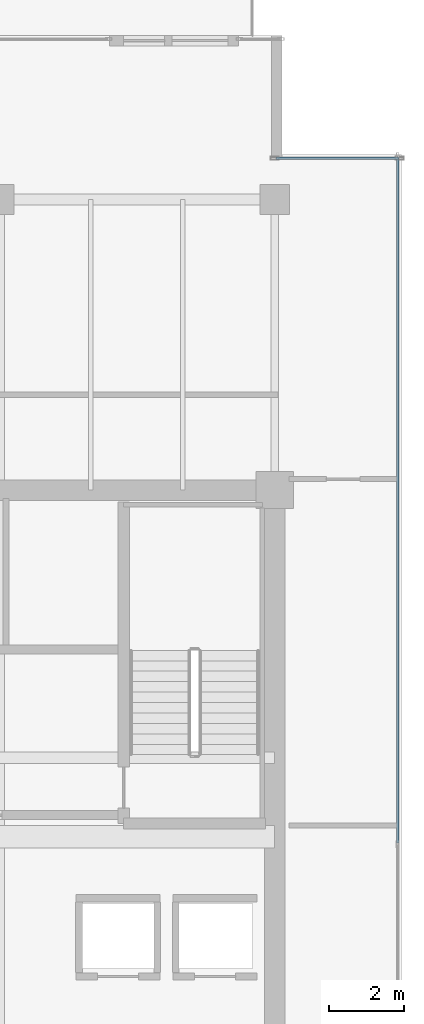
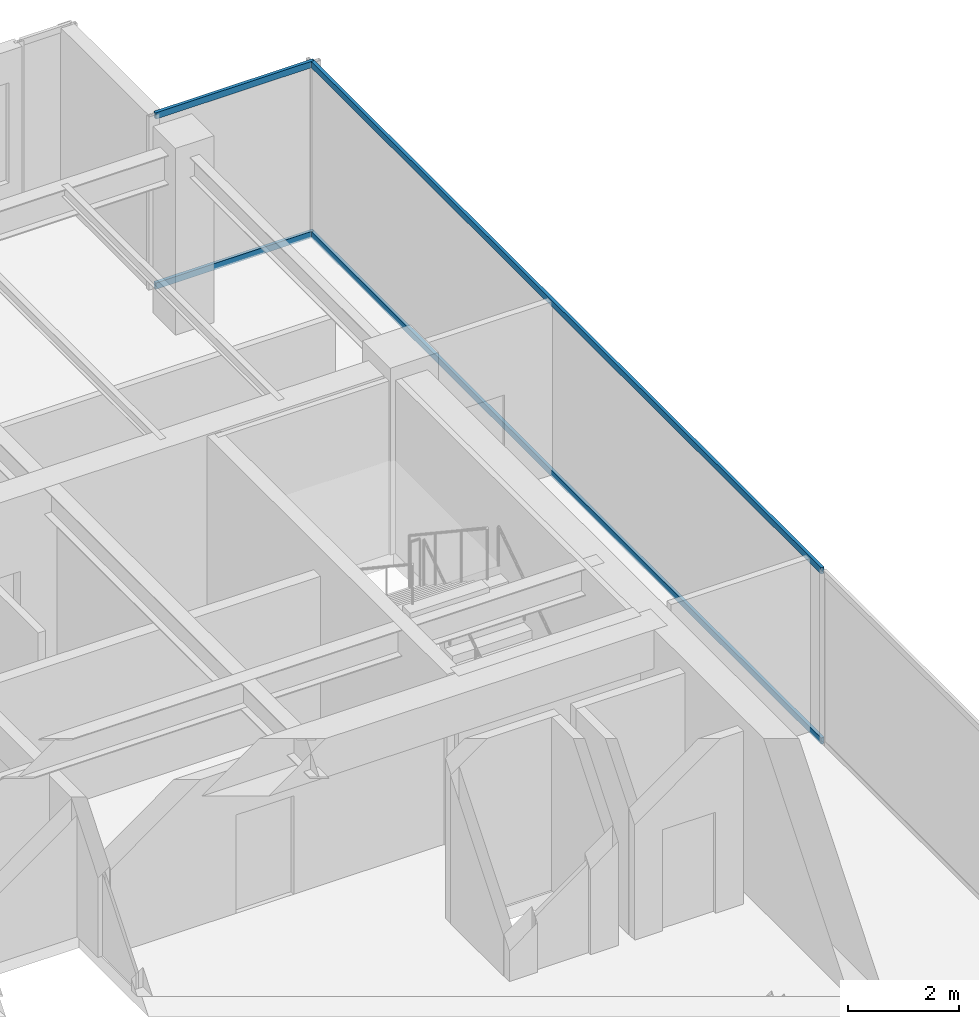
# One storey, part 25 of 34: 4 members, 2 elements without a shape of their own.
"""IFC4 building model written with IfcOpenShell, lengths in metres."""

import ifcopenshell
import ifcopenshell.guid

model = None  # the IFC model being written
_history = None  # IfcOwnerHistory: only IFC2X3 demands one
_inside = {}  # id of a spatial element -> (the spatial element, [elements in it])
_under = {}  # id of a project, library or spatial element -> (it, [spatial elements below it])
_declared = {}  # id of a project -> (the project, [libraries it declares])
_typed = {}  # id of a type object -> (the type object, [elements of that type])
_made_of = {}  # id of a material, layer set ... -> (it, [elements and type objects made of it])


def new_model(schema):
    """Start an empty IFC model of exactly this schema.

    Asked for "IFC4X3", IfcOpenShell would pick the latest addendum, in which some entities
    have other attributes; the version numbers below select the first issue.
    IFC2X3 requires an IfcOwnerHistory on every rooted entity: one is made here for all.
    """
    global model, _history
    if schema == "IFC4X3":
        model = ifcopenshell.file(schema_version=(4, 3, 0, 0))
    else:
        model = ifcopenshell.file(schema=schema)
    _inside.clear()
    _under.clear()
    _declared.clear()
    _typed.clear()
    _made_of.clear()
    _history = None
    if model.schema == "IFC2X3":
        org = make("IfcOrganization", Name="unknown")
        user = make(
            "IfcPersonAndOrganization",
            ThePerson=make("IfcPerson", FamilyName="unknown"),
            TheOrganization=org,
        )
        app = make(
            "IfcApplication",
            ApplicationDeveloper=org,
            Version="unknown",
            ApplicationFullName="unknown",
            ApplicationIdentifier="unknown",
        )
        _history = make(
            "IfcOwnerHistory",
            OwningUser=user,
            OwningApplication=app,
            ChangeAction="ADDED",
            CreationDate=0,
        )
    return model


def make(cls, **values):
    """One entity of the class cls with the attributes given. An attribute that is None is left unset."""
    return model.create_entity(
        cls, **{name: value for name, value in values.items() if value is not None}
    )


def rooted(cls, **values):
    """An entity with a GlobalId (a new one), such as an element, a storey or a relation."""
    return make(cls, GlobalId=ifcopenshell.guid.new(), OwnerHistory=_history, **values)


def si_unit(unit_type, name, prefix=None):
    """IfcSIUnit, for example si_unit("LENGTHUNIT", "METRE", prefix="MILLI")."""
    return make("IfcSIUnit", UnitType=unit_type, Prefix=prefix, Name=name)


def assignment(units):
    """IfcUnitAssignment: the units of a project."""
    return None if units is None else make("IfcUnitAssignment", Units=units)


def point(xyz):
    """IfcCartesianPoint."""
    return None if xyz is None else make("IfcCartesianPoint", Coordinates=xyz)


def direction(xyz):
    """IfcDirection."""
    return None if xyz is None else make("IfcDirection", DirectionRatios=xyz)


def frame(location, z_axis=None, x_axis=None):
    """IfcAxis2Placement3D, a coordinate frame: its origin and axes. An axis left out is left unset."""
    return make(
        "IfcAxis2Placement3D",
        Location=point(location),
        Axis=direction(z_axis),
        RefDirection=direction(x_axis),
    )


def frame_2d(location, x_axis=None):
    """IfcAxis2Placement2D, a coordinate frame in the plane: its origin and x axis."""
    return make(
        "IfcAxis2Placement2D", Location=point(location), RefDirection=direction(x_axis)
    )


def origin():
    """The frame at (0, 0, 0) with its axes left unset."""
    return frame((0.0, 0.0, 0.0))


def origin_2d():
    """The frame at (0, 0) in the plane with its x axis left unset."""
    return frame_2d((0.0, 0.0))


def place(relative_to, where):
    """IfcLocalPlacement: puts the frame where relative to a parent placement (None: the world)."""
    return make(
        "IfcLocalPlacement", PlacementRelTo=relative_to, RelativePlacement=where
    )


def context(
    kind, dimensions, precision=None, world=None, true_north=None, identifier=None
):
    """IfcGeometricRepresentationContext, for example the 3D "Model" context."""
    return make(
        "IfcGeometricRepresentationContext",
        ContextIdentifier=identifier,
        ContextType=kind,
        CoordinateSpaceDimension=dimensions,
        Precision=precision,
        WorldCoordinateSystem=world,
        TrueNorth=true_north,
    )


def subcontext(parent, identifier, kind, view, scale=None):
    """IfcGeometricRepresentationSubContext, for example "Body" below "Model"."""
    return make(
        "IfcGeometricRepresentationSubContext",
        ContextIdentifier=identifier,
        ContextType=kind,
        ParentContext=parent,
        TargetScale=scale,
        TargetView=view,
    )


def project(units=None, contexts=None):
    """IfcProject with its units and contexts."""
    return rooted(
        "IfcProject",
        Name="project",
        RepresentationContexts=contexts,
        UnitsInContext=assignment(units),
    )


def spatial(cls, under=None, at=None, **own):
    """A site, building, storey or space (cls), placed at a placement, below another one or the project."""
    s = rooted(cls, ObjectPlacement=at, **own)
    if under is not None:
        _under.setdefault(under.id(), (under, []))[1].append(s)
    return s


def profile(cls, at=None, kind="AREA", **sizes):
    """A parametric profile (cls). Its sizes go by their IFC names, for example OverallWidth=200.0."""
    return make(cls, ProfileType=kind, Position=at, **sizes)


def hollow_rectangle(**sizes):
    """IfcRectangleHollowProfileDef."""
    return profile("IfcRectangleHollowProfileDef", **sizes)


def extrude(swept, where, along, depth):
    """IfcExtrudedAreaSolid: the profile swept, set in the frame where, extruded along a direction by depth."""
    return make(
        "IfcExtrudedAreaSolid",
        SweptArea=swept,
        Position=where,
        ExtrudedDirection=direction(along),
        Depth=depth,
    )


def shape(context_of_items, identifier, shape_type, items):
    """IfcShapeRepresentation: the items that make up one representation, for example the "Body"."""
    return make(
        "IfcShapeRepresentation",
        ContextOfItems=context_of_items,
        RepresentationIdentifier=identifier,
        RepresentationType=shape_type,
        Items=items,
    )


def source(mapping_origin, context_of_items, identifier, shape_type, items):
    """IfcRepresentationMap: a shape defined once, which mapped items show again and again."""
    return make(
        "IfcRepresentationMap",
        MappingOrigin=mapping_origin,
        MappedRepresentation=shape(context_of_items, identifier, shape_type, items),
    )


def transform(
    local_origin,
    x_axis=None,
    y_axis=None,
    z_axis=None,
    scale=None,
    scale2=None,
    scale3=None,
    uniform=True,
):
    """IfcCartesianTransformationOperator3D, or its non-uniform kind. x_axis, y_axis, z_axis: its Axis1, 2, 3."""
    if uniform:
        return make(
            "IfcCartesianTransformationOperator3D",
            Axis1=direction(x_axis),
            Axis2=direction(y_axis),
            LocalOrigin=point(local_origin),
            Scale=scale,
            Axis3=direction(z_axis),
        )
    return make(
        "IfcCartesianTransformationOperator3DnonUniform",
        Axis1=direction(x_axis),
        Axis2=direction(y_axis),
        LocalOrigin=point(local_origin),
        Scale=scale,
        Axis3=direction(z_axis),
        Scale2=scale2,
        Scale3=scale3,
    )


def mapped(mapping_source, mapping_target):
    """IfcMappedItem: shows the shape of a source again, moved by a transform."""
    return make(
        "IfcMappedItem", MappingSource=mapping_source, MappingTarget=mapping_target
    )


def material(Name=None, Category=None):
    """IfcMaterial."""
    return make("IfcMaterial", Name=Name, Category=Category)


def layer(
    of_material, thickness, ventilated=None, Name=None, Category=None, Priority=None
):
    """IfcMaterialLayer: one layer of a wall or slab, of a material (None: an air gap)."""
    return make(
        "IfcMaterialLayer",
        Material=of_material,
        LayerThickness=thickness,
        IsVentilated=ventilated,
        Name=Name,
        Category=Category,
        Priority=Priority,
    )


def layer_set(layers, Name=None):
    """IfcMaterialLayerSet."""
    return make("IfcMaterialLayerSet", MaterialLayers=layers, LayerSetName=Name)


def material_profile(
    of_material, cross_section, Name=None, Category=None, Priority=None
):
    """IfcMaterialProfile: a cross section and its material."""
    return make(
        "IfcMaterialProfile",
        Name=Name,
        Material=of_material,
        Profile=cross_section,
        Priority=Priority,
        Category=Category,
    )


def profile_set(profiles, Name=None, composite=None):
    """IfcMaterialProfileSet."""
    return make(
        "IfcMaterialProfileSet",
        Name=Name,
        MaterialProfiles=profiles,
        CompositeProfile=composite,
    )


def made_of(thing, what):
    """Note that an element or type object is made of a material, layer set ...; save() writes the relation."""
    if what is not None:
        _made_of.setdefault(what.id(), (what, []))[1].append(thing)
    return thing


def type_object(cls, material=None, **own):
    """A type object (cls), such as IfcWallType, which elements share."""
    return made_of(rooted(cls, **own), material)


def type_shapes(of_type, sources):
    """Give a type object the sources (RepresentationMaps) that its elements show as mapped items."""
    of_type.RepresentationMaps = sources


def element(
    cls,
    number,
    at=None,
    inside=None,
    cuts=None,
    type_object=None,
    material=None,
    context=None,
    identifier="Body",
    shape_type=None,
    held_by="IfcProductDefinitionShape",
    body=None,
    shapes=None,
    **own,
):
    """One element of the class cls, such as IfcWall. Its Tag is "e" and its number.

    at: its placement. inside: the storey or other place that contains it. cuts: it is an
    opening in that element (IfcRelVoidsElement). A single representation is given by context,
    identifier, shape_type and body (its items); several are given by shapes. held_by: the class
    of the entity that holds the representations. save() writes the other relations.
    """
    e = rooted(cls, Tag="e%d" % number, ObjectPlacement=at, **own)
    if body is not None:
        shapes = [shape(context, identifier, shape_type, body)]
    if shapes is not None:
        e.Representation = make(held_by, Representations=shapes)
    if inside is not None:
        _inside.setdefault(inside.id(), (inside, []))[1].append(e)
    if cuts is not None:
        rooted(
            "IfcRelVoidsElement", RelatingBuildingElement=cuts, RelatedOpeningElement=e
        )
    if type_object is not None:
        _typed.setdefault(type_object.id(), (type_object, []))[1].append(e)
    return made_of(e, material)


def aggregate(whole, parts):
    """IfcRelAggregates: a whole, such as a stair, and the parts it consists of."""
    return rooted("IfcRelAggregates", RelatingObject=whole, RelatedObjects=parts)


def save(model, path):
    """Write the relations noted so far, then the file.

    IfcRelAggregates (storeys below a building ...), IfcRelContainedInSpatialStructure (elements
    in a storey), IfcRelDefinesByType, IfcRelAssociatesMaterial and IfcRelDeclares: one each for
    every whole, place, type object, material and project.
    """
    for whole, parts in _under.values():
        aggregate(whole, parts)
    for where, things in _inside.values():
        rooted(
            "IfcRelContainedInSpatialStructure",
            RelatedElements=things,
            RelatingStructure=where,
        )
    for kind, things in _typed.values():
        rooted("IfcRelDefinesByType", RelatedObjects=things, RelatingType=kind)
    for what, things in _made_of.values():
        rooted("IfcRelAssociatesMaterial", RelatedObjects=things, RelatingMaterial=what)
    for by, libraries in _declared.values():
        rooted("IfcRelDeclares", RelatingContext=by, RelatedDefinitions=libraries)
    model.write(path)


model = new_model("IFC4")

# Units and contexts
model_context = context("Model", 3, precision=1e-05, world=origin(), true_north=direction((0.0, 1.0)))
body_context = subcontext(model_context, "Body", "Model", "MODEL_VIEW")
ifc_project = project(units=[si_unit("LENGTHUNIT", "METRE"), si_unit("AREAUNIT", "SQUARE_METRE"), si_unit("VOLUMEUNIT", "CUBIC_METRE"), si_unit("PLANEANGLEUNIT", "RADIAN"), si_unit("MASSUNIT", "GRAM", prefix="KILO")], contexts=[model_context])

# Site, building, storey
site_placement = place(None, origin())
site = spatial("IfcSite", under=ifc_project, at=site_placement, CompositionType="ELEMENT")
building_placement = place(site_placement, origin())
building = spatial("IfcBuilding", under=site, at=building_placement, Name="Haelvirn Gate Laboratories", CompositionType="ELEMENT")
storey_placement = place(building_placement, frame((0.0, 0.0, 246.5)))
storey = spatial("IfcBuildingStorey", under=building, at=storey_placement, Name="L59", CompositionType="ELEMENT", Elevation=246.5)

# Curtain wall, members
ifc_material_1 = material(Name="Anodised bronze unitised aluminium & triple low-E glass", Category="aluminium")
ifc_layer_1 = layer(ifc_material_1, 0.181884765625, Name="CW-SYS-5")
ifc_layer_set_1 = layer_set([ifc_layer_1], Name="Anodised bronze unitised aluminium & triple low-E glass")
curtain_wall_type_1 = type_object("IfcCurtainWallType", Name="CW-SYS-5", PredefinedType="NOTDEFINED", material=ifc_layer_set_1)
curtain_wall_1_placement = place(storey_placement, origin())
curtain_wall_1 = element("IfcCurtainWall", 1, at=curtain_wall_1_placement, inside=storey, type_object=curtain_wall_type_1, Name="L59 Unitised Curtain Wall CW-L59-P0-E08-1", PredefinedType="NOTDEFINED")
ifc_material_2 = material(Name="Extruded aluminium 6063-T6 (anodised bronze)", Category="aluminium")
ifc_material_profile = material_profile(ifc_material_2, hollow_rectangle(XDim=0.06494140625, YDim=0.139892578125, WallThickness=0.00390625, at=origin_2d()), Name="CWT-140x65x4")
ifc_profile_set = profile_set([ifc_material_profile], Name="Extruded aluminium 6063-T6 (anodised bronze)")
member_type = type_object("IfcMemberType", Name="CWT-T140", PredefinedType="USERDEFINED", material=ifc_profile_set)
shared_shape_1 = source(origin(), body_context, "Body", "SweptSolid", [
    extrude(hollow_rectangle(XDim=0.06494140625, YDim=0.139892578125, WallThickness=0.00390625, at=origin_2d()), origin(), (0.0, 0.0, 1.0), 3.280029296875),
])
member_1_placement = place(storey_placement, frame((67.43994140625, 42.699951171875, 0.032470703125), z_axis=(1.0, 0.0, 0.0), x_axis=(0.0, 1.0, 0.0)))
member_1 = element("IfcMember", 2, at=member_1_placement, type_object=member_type, Name="CW5 transom 1.1", ObjectType="TRANSOM", PredefinedType="USERDEFINED", context=body_context, shape_type="MappedRepresentation", body=[
    mapped(shared_shape_1, transform((0.0, 0.0, 0.0), scale=1.0)),
])
member_2_placement = place(storey_placement, frame((67.43994140625, 42.699951171875, 3.767578125), z_axis=(1.0, 0.0, 0.0), x_axis=(0.0, 1.0, 0.0)))
member_2 = element("IfcMember", 3, at=member_2_placement, type_object=member_type, Name="CW5 transom 1.2", ObjectType="TRANSOM", PredefinedType="USERDEFINED", context=body_context, shape_type="MappedRepresentation", body=[
    mapped(shared_shape_1, transform((0.0, 0.0, 0.0), scale=1.0)),
])
aggregate(curtain_wall_1, [member_1, member_2])

ifc_layer_2 = layer(ifc_material_1, 0.176025390625, Name="CW-SYS-4")
ifc_layer_set_2 = layer_set([ifc_layer_2], Name="Anodised bronze unitised aluminium & triple low-E glass")
curtain_wall_type_2 = type_object("IfcCurtainWallType", Name="CW-SYS-4", PredefinedType="NOTDEFINED", material=ifc_layer_set_2)
curtain_wall_2_placement = place(storey_placement, origin())
curtain_wall_2 = element("IfcCurtainWall", 4, at=curtain_wall_2_placement, inside=storey, type_object=curtain_wall_type_2, Name="L59 Unitised Curtain Wall CW-L59-P0-E07", PredefinedType="NOTDEFINED")
shared_shape_2 = source(origin(), body_context, "Body", "SweptSolid", [
    extrude(hollow_rectangle(XDim=0.06494140625, YDim=0.139892578125, WallThickness=0.00390625, at=origin_2d()), origin(), (0.0, 0.0, 1.0), 18.39501953125),
])
type_shapes(member_type, [shared_shape_1, shared_shape_2])
member_3_placement = place(storey_placement, frame((70.699951171875, 24.3349609375, 0.032470703125), z_axis=(0.0, 1.0, 0.0), x_axis=(-1.0, 0.0, 0.0)))
member_3 = element("IfcMember", 5, at=member_3_placement, type_object=member_type, Name="CW4 transom 2.1", ObjectType="TRANSOM", PredefinedType="USERDEFINED", context=body_context, shape_type="MappedRepresentation", body=[
    mapped(shared_shape_2, transform((0.0, 0.0, 0.0), scale=1.0)),
])
member_4_placement = place(storey_placement, frame((70.699951171875, 24.3349609375, 3.767578125), z_axis=(0.0, 1.0, 0.0), x_axis=(-1.0, 0.0, 0.0)))
member_4 = element("IfcMember", 6, at=member_4_placement, type_object=member_type, Name="CW4 transom 2.2", ObjectType="TRANSOM", PredefinedType="USERDEFINED", context=body_context, shape_type="MappedRepresentation", body=[
    mapped(shared_shape_2, transform((0.0, 0.0, 0.0), scale=1.0)),
])
aggregate(curtain_wall_2, [member_3, member_4])

save(model, "model.ifc")
